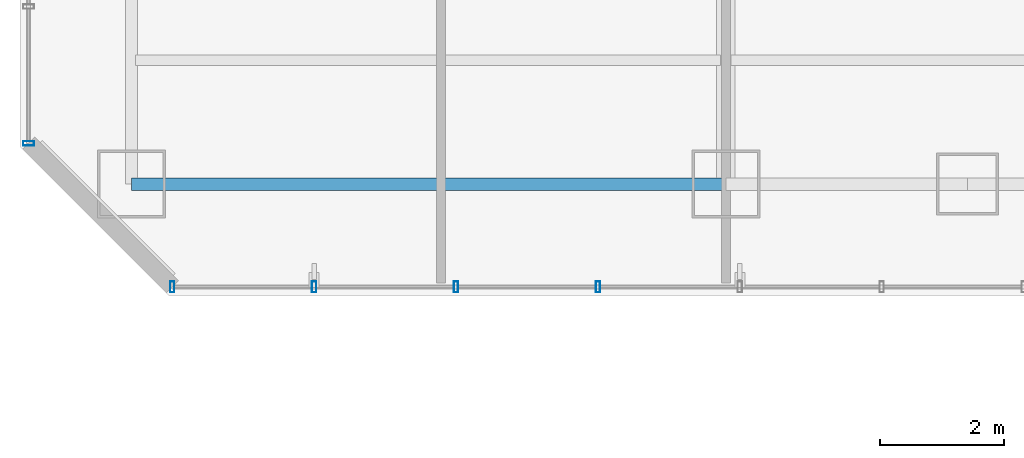
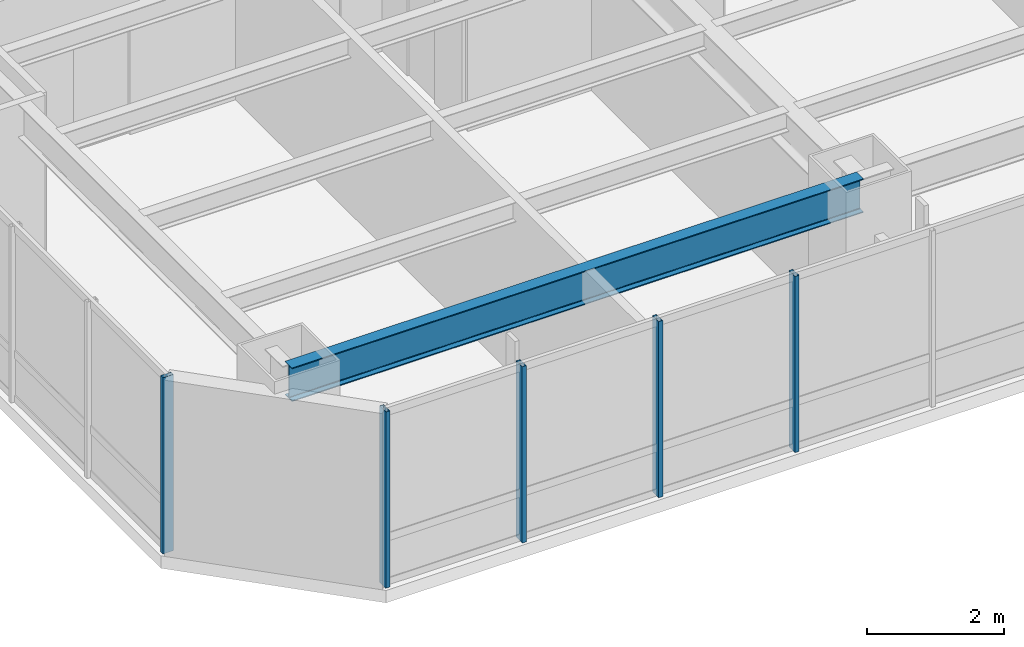
# One storey, part 2 of 32: 5 members, 1 beam, 2 elements without a shape of their own.
"""IFC4 building model written with IfcOpenShell, lengths in metres."""

from ifc_helpers import new_model, si_unit, direction, frame, origin, origin_2d, place, context, subcontext, project, spatial, hollow_rectangle, i_section, extrude, material, layer, layer_set, material_profile, profile_set, type_object, element, aggregate, save


model = new_model("IFC4")

# Units and contexts
model_context = context("Model", 3, precision=1e-05, world=origin(), true_north=direction((0.0, 1.0)))
body_context = subcontext(model_context, "Body", "Model", "MODEL_VIEW")
ifc_project = project(units=[si_unit("LENGTHUNIT", "METRE"), si_unit("AREAUNIT", "SQUARE_METRE"), si_unit("VOLUMEUNIT", "CUBIC_METRE"), si_unit("PLANEANGLEUNIT", "RADIAN"), si_unit("MASSUNIT", "GRAM", prefix="KILO")], contexts=[model_context])

# Site, building, storey
site_placement = place(None, origin())
site = spatial("IfcSite", under=ifc_project, at=site_placement, CompositionType="ELEMENT")
building_placement = place(site_placement, origin())
building = spatial("IfcBuilding", under=site, at=building_placement, Name="Hatsunagi Terrace Concourse", CompositionType="ELEMENT")
storey_placement = place(building_placement, frame((0.0, 0.0, 36.60009765625)))
storey = spatial("IfcBuildingStorey", under=building, at=storey_placement, Name="L08", CompositionType="ELEMENT", Elevation=36.60009765625)

# Curtain wall, members
ifc_material_1 = material(Name="Anodised Aluminium Alloy 6063-T5", Category="aluminium")
ifc_layer = layer(ifc_material_1, 0.199951171875)
ifc_layer_set = layer_set([ifc_layer], Name="HotelFacade_CW02")
curtain_wall_type = type_object("IfcCurtainWallType", Name="HotelFacade_CW02", PredefinedType="NOTDEFINED", material=ifc_layer_set)
curtain_wall_1_placement = place(storey_placement, origin())
curtain_wall_1 = element("IfcCurtainWall", 1, at=curtain_wall_1_placement, inside=storey, type_object=curtain_wall_type, Name="Unitised Curtain Wall CW-02 CW-L08-07", PredefinedType="NOTDEFINED")
ifc_material_2 = material(Name="Anodised Aluminium Alloy 6063-T5", Category="aluminium")
ifc_material_profile_1 = material_profile(ifc_material_2, hollow_rectangle(XDim=0.070068359375, YDim=0.179931640625, WallThickness=0.00390625, at=origin_2d()), Name="ALU-MUL-180x70x4")
ifc_profile_set_1 = profile_set([ifc_material_profile_1], Name="Anodised Aluminium Alloy 6063-T5")
member_type = type_object("IfcMemberType", Name="CurtainWallMullion_180x70", PredefinedType="MULLION", material=ifc_profile_set_1)
member_1_placement = place(storey_placement, frame((9.3330078125, 23.5400390625, 0.0), z_axis=(0.0, 0.0, 1.0), x_axis=(-1.0, 0.0, 0.0)))
member_1 = element("IfcMember", 2, at=member_1_placement, type_object=member_type, Name="Curtain Wall Mullion MUL-02", PredefinedType="MULLION", context=body_context, shape_type="SweptSolid", body=[
    extrude(hollow_rectangle(XDim=0.070068359375, YDim=0.179931640625, WallThickness=0.00390625, at=origin_2d()), origin(), (0.0, 0.0, 1.0), 3.1298828125),
])
member_2_placement = place(storey_placement, frame((7.041015625, 23.5400390625, 0.0), z_axis=(0.0, 0.0, 1.0), x_axis=(-1.0, 0.0, 0.0)))
member_2 = element("IfcMember", 3, at=member_2_placement, type_object=member_type, Name="Curtain Wall Mullion MUL-02", PredefinedType="MULLION", context=body_context, shape_type="SweptSolid", body=[
    extrude(hollow_rectangle(XDim=0.070068359375, YDim=0.179931640625, WallThickness=0.00390625, at=origin_2d()), origin(), (0.0, 0.0, 1.0), 3.1298828125),
])
member_3_placement = place(storey_placement, frame((4.75, 23.5400390625, 0.0), z_axis=(0.0, 0.0, 1.0), x_axis=(-1.0, 0.0, 0.0)))
member_3 = element("IfcMember", 4, at=member_3_placement, type_object=member_type, Name="Curtain Wall Mullion MUL-02", PredefinedType="MULLION", context=body_context, shape_type="SweptSolid", body=[
    extrude(hollow_rectangle(XDim=0.070068359375, YDim=0.179931640625, WallThickness=0.00390625, at=origin_2d()), origin(), (0.0, 0.0, 1.0), 3.1298828125),
])
member_4_placement = place(storey_placement, frame((2.4580078125, 23.5400390625, 0.0), z_axis=(0.0, 0.0, 1.0), x_axis=(-1.0, 0.0, 0.0)))
member_4 = element("IfcMember", 5, at=member_4_placement, type_object=member_type, Name="Curtain Wall Mullion MUL-02", PredefinedType="MULLION", context=body_context, shape_type="SweptSolid", body=[
    extrude(hollow_rectangle(XDim=0.070068359375, YDim=0.179931640625, WallThickness=0.00390625, at=origin_2d()), origin(), (0.0, 0.0, 1.0), 3.1298828125),
])
aggregate(curtain_wall_1, [member_1, member_2, member_3, member_4])

# Curtain wall, member
curtain_wall_2_placement = place(storey_placement, origin())
curtain_wall_2 = element("IfcCurtainWall", 6, at=curtain_wall_2_placement, inside=storey, type_object=curtain_wall_type, Name="Unitised Curtain Wall CW-02 CW-L08-09", PredefinedType="NOTDEFINED")
member_5_placement = place(storey_placement, frame((0.139892578125, 25.85791015625, 0.0), z_axis=(0.0, 0.0, 1.0), x_axis=(0.0, 1.0, 0.0)))
member_5 = element("IfcMember", 7, at=member_5_placement, type_object=member_type, Name="Curtain Wall Mullion MUL-02", PredefinedType="MULLION", context=body_context, shape_type="SweptSolid", body=[
    extrude(hollow_rectangle(XDim=0.070068359375, YDim=0.179931640625, WallThickness=0.00390625, at=origin_2d()), origin(), (0.0, 0.0, 1.0), 3.1298828125),
])
aggregate(curtain_wall_2, [member_5])

# Beam
ifc_material_3 = material(Name="Steel SN490B", Category="steel")
ifc_material_profile_2 = material_profile(ifc_material_3, i_section(OverallWidth=0.199951171875, OverallDepth=0.60009765625, WebThickness=0.010986328125, FlangeThickness=0.01708984375, FilletRadius=0.01806640625, at=origin_2d()), Name="H-600x200x11x17")
ifc_profile_set_2 = profile_set([ifc_material_profile_2], Name="Steel SN490B")
beam_type = type_object("IfcBeamType", Name="PerimeterSpandrel_H_600x200", PredefinedType="SPANDREL", material=ifc_profile_set_2)
beam_placement = place(storey_placement, frame((1.800048828125, 25.199951171875, 2.829833984375), z_axis=(1.0, 0.0, 0.0), x_axis=(0.0, 1.0, 0.0)))
element("IfcBeam", 8, at=beam_placement, inside=storey, type_object=beam_type, Name="Beam SP-01 BM-L08-WS-1", PredefinedType="SPANDREL", context=body_context, shape_type="SweptSolid", body=[
    extrude(i_section(OverallWidth=0.199951171875, OverallDepth=0.60009765625, WebThickness=0.010986328125, FlangeThickness=0.01708984375, FilletRadius=0.01806640625, at=origin_2d()), origin(), (0.0, 0.0, 1.0), 9.599853515625),
])

save(model, "model.ifc")
